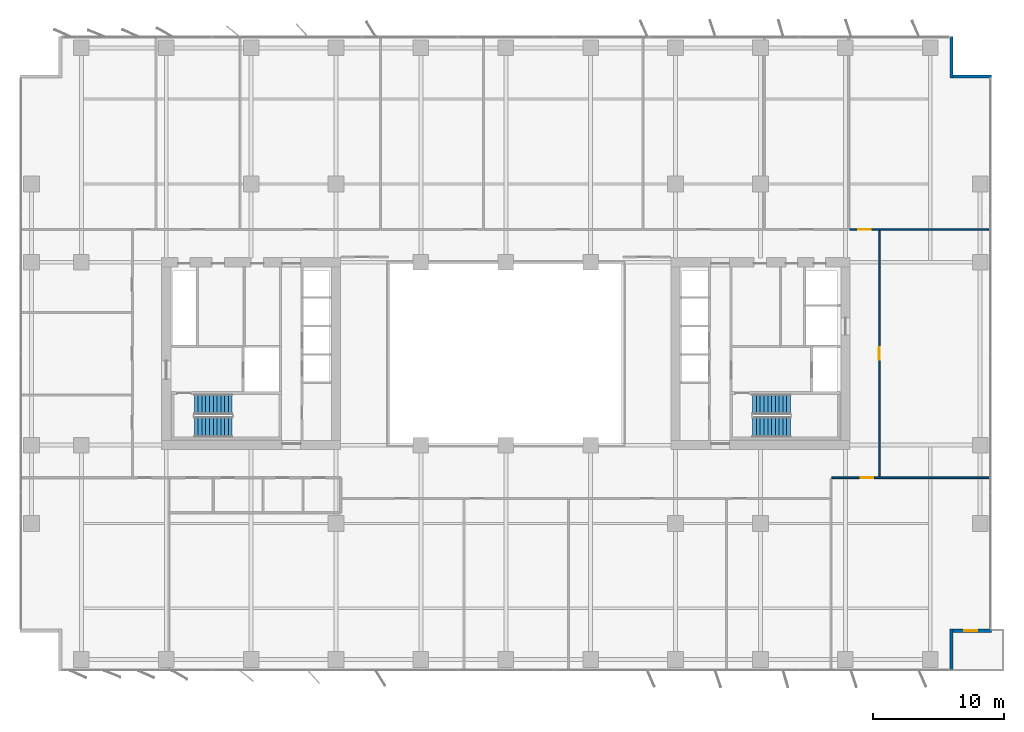
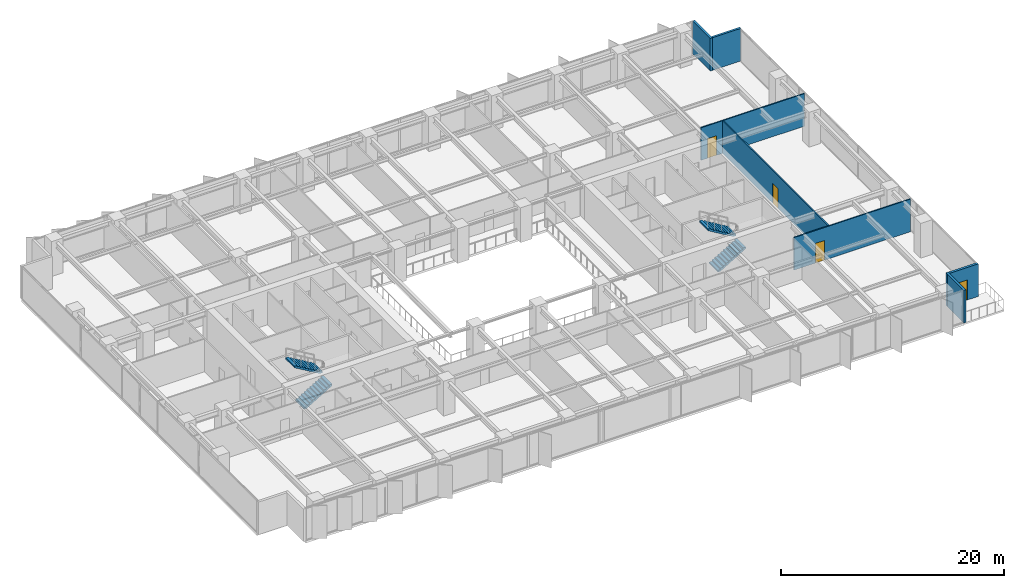
# One storey, part 16 of 20: 7 walls, 4 doors, 4 stair flights, 4 openings, 2 elements without a shape of their own.
"""IFC4 building model written with IfcOpenShell, lengths in metres."""

from ifc_helpers import new_model, si_unit, direction, frame, frame_2d, origin, place, context, subcontext, project, spatial, polyline, rectangle, outline, extrude, material, layer, layer_set, type_object, element, fill, aggregate, save


model = new_model("IFC4")

# Units and contexts
model_context = context("Model", 3, precision=1e-05, world=origin(), true_north=direction((0.0, 1.0)))
body_context = subcontext(model_context, "Body", "Model", "MODEL_VIEW")
ifc_project = project(units=[si_unit("LENGTHUNIT", "METRE"), si_unit("AREAUNIT", "SQUARE_METRE"), si_unit("VOLUMEUNIT", "CUBIC_METRE"), si_unit("PLANEANGLEUNIT", "RADIAN"), si_unit("MASSUNIT", "GRAM", prefix="KILO")], contexts=[model_context])

# Site, building, storey
site_placement = place(None, origin())
site = spatial("IfcSite", under=ifc_project, at=site_placement, CompositionType="ELEMENT")
building_placement = place(site_placement, origin())
building = spatial("IfcBuilding", under=site, at=building_placement, Name="Putna Gate Headquarters", CompositionType="ELEMENT")
storey_placement = place(building_placement, frame((0.0, 0.0, 120.199951171875)))
storey = spatial("IfcBuildingStorey", under=building, at=storey_placement, Name="L29", CompositionType="ELEMENT", Elevation=120.199951171875)

# Walls
ifc_material_1 = material(Name="Precast concrete C40/50", Category="concrete")
ifc_layer_1 = layer(ifc_material_1, 0.239990234375)
ifc_layer_set_1 = layer_set([ifc_layer_1], Name="Precast concrete C40/50")
wall_type_1 = type_object("IfcWallType", Name="WALL-EXT-TERR-240", PredefinedType="STANDARD", material=ifc_layer_set_1)
for number, where, z_axis, x_axis, name in (
    (1, (73.1201171875, 50.300048828125, 0.0), (0.0, 0.0, 1.0), (0.0, -1.0, 0.0), "L29 Corner Notch Return Wall NE-V"),
    (2, (73.0, 47.219970703125, 0.0), (0.0, 0.0, 1.0), (1.0, 0.0, 0.0), "L29 Corner Notch Return Wall NE-H"),
    (3, (73.1201171875, 4.89990234375, 0.0), (0.0, 0.0, 1.0), (0.0, -1.0, 0.0), "L29 Corner Notch Return Wall SE-V"),
):
    element("IfcWall", number, at=place(storey_placement, frame(where, z_axis=z_axis, x_axis=x_axis)), inside=storey, type_object=wall_type_1, Name=name, PredefinedType="STANDARD", context=body_context, shape_type="SweptSolid", body=[
        extrude(rectangle(XDim=3.199951171875, YDim=0.239990234375, at=frame_2d((1.60009765625, 0.0))), origin(), (0.0, 0.0, 1.0), 3.56494140625),
    ])

# Wall, opening, door
wall_1_placement = place(storey_placement, frame((76.199951171875, 4.780029296875, 0.0), z_axis=(0.0, 0.0, 1.0), x_axis=(-1.0, 0.0, 0.0)))
wall_1 = element("IfcWall", 4, at=wall_1_placement, inside=storey, type_object=wall_type_1, Name="L29 Corner Notch Return Wall SE-H", PredefinedType="STANDARD", context=body_context, shape_type="SweptSolid", body=[
    extrude(rectangle(XDim=3.199951171875, YDim=0.239990234375, at=frame_2d((1.60009765625, 0.0))), origin(), (0.0, 0.0, 1.0), 3.56494140625),
])
opening_1_placement = place(wall_1_placement, frame((1.10009765625, 0.0, 0.0)))
opening_1 = element("IfcOpeningElement", 5, at=opening_1_placement, cuts=wall_1, Name="Opening TRD-1", PredefinedType="OPENING", context=body_context, shape_type="SweptSolid", body=[
    extrude(rectangle(XDim=1.0, YDim=2.199951171875, at=frame_2d((0.5, 1.10009765625))), frame((0.0, 0.1298828125, 0.0), z_axis=(0.0, -1.0, 0.0), x_axis=(1.0, 0.0, 0.0)), (0.0, 0.0, 1.0), 0.260009765625),
])
ifc_material_2 = material(Name="Thermally broken bronze glazed terrace door")
door_type_1 = type_object("IfcDoorType", Name="DOOR-TERR-EXT-1000", OperationType="NOTDEFINED", PredefinedType="DOOR", material=ifc_material_2)
door_1_placement = place(opening_1_placement, origin())
door_1 = element("IfcDoor", 6, at=door_1_placement, inside=storey, type_object=door_type_1, Name="L29 Spiral Sky Terrace Door SE", OperationType="SINGLE_SWING_RIGHT", OverallHeight=2.199951171875, OverallWidth=1.0, PredefinedType="DOOR", context=body_context, shape_type="SweptSolid", body=[
    extrude(rectangle(XDim=1.0, YDim=2.199951171875, at=frame_2d((0.5, 1.10009765625))), frame((0.0, 0.02490234375, 0.0), z_axis=(0.0, -1.0, 0.0), x_axis=(1.0, 0.0, 0.0)), (0.0, 0.0, 1.0), 0.050048828125),
])
fill(opening_1, door_1)

ifc_material_3 = material(Name="Fire-rated gypsum board on metal stud")
ifc_layer_2 = layer(ifc_material_3, 0.1201171875)
ifc_layer_set_2 = layer_set([ifc_layer_2], Name="Fire-rated gypsum board on metal stud")
wall_type_2 = type_object("IfcWallType", Name="WALL-PART-120-RATED", PredefinedType="PARTITIONING", material=ifc_layer_set_2)
wall_2_placement = place(storey_placement, frame((65.322021484375, 35.5, 0.0), z_axis=(0.0, 0.0, 1.0), x_axis=(1.0, 0.0, 0.0)))
wall_2 = element("IfcWall", 7, at=wall_2_placement, inside=storey, type_object=wall_type_2, Name="L29 Interior Wall PART-L29-NB-CW-08", PredefinedType="PARTITIONING", context=body_context, shape_type="SweptSolid", body=[
    extrude(rectangle(XDim=10.697998046875, YDim=0.1201171875, at=frame_2d((5.34912109375, 0.0))), origin(), (0.0, 0.0, 1.0), 3.56494140625),
])
opening_2_placement = place(wall_2_placement, frame((0.6640625, 0.0, 0.0)))
opening_2 = element("IfcOpeningElement", 8, at=opening_2_placement, cuts=wall_2, Name="Opening FD-95", PredefinedType="OPENING", context=body_context, shape_type="SweptSolid", body=[
    extrude(rectangle(XDim=0.949951171875, YDim=2.14990234375, at=frame_2d((0.47509765625, 1.074951171875))), frame((0.0, 0.070068359375, 0.0), z_axis=(0.0, -1.0, 0.0), x_axis=(1.0, 0.0, 0.0)), (0.0, 0.0, 1.0), 0.14013671875),
])
ifc_material_4 = material(Name="Acoustic timber fire door", Category="wood")
door_type_2 = type_object("IfcDoorType", Name="DOOR-FIRE-950", OperationType="NOTDEFINED", PredefinedType="DOOR", material=ifc_material_4)
door_2_placement = place(opening_2_placement, origin())
door_2 = element("IfcDoor", 9, at=door_2_placement, inside=storey, type_object=door_type_2, Name="L29 Quiet Wellness Focus Studio 2 Door", OperationType="SINGLE_SWING_RIGHT", OverallHeight=2.14990234375, OverallWidth=0.949951171875, PredefinedType="DOOR", context=body_context, shape_type="SweptSolid", body=[
    extrude(rectangle(XDim=0.949951171875, YDim=2.14990234375, at=frame_2d((0.47509765625, 1.074951171875))), frame((0.0, 0.02490234375, 0.0), z_axis=(0.0, -1.0, 0.0), x_axis=(1.0, 0.0, 0.0)), (0.0, 0.0, 1.0), 0.050048828125),
])
fill(opening_2, door_2)

wall_3_placement = place(storey_placement, frame((63.954833984375, 16.5, 0.0), z_axis=(0.0, 0.0, 1.0), x_axis=(1.0, 0.0, 0.0)))
wall_3 = element("IfcWall", 10, at=wall_3_placement, inside=storey, type_object=wall_type_2, Name="L29 Interior Wall PART-L29-SB-CW-06", PredefinedType="PARTITIONING", context=body_context, shape_type="SweptSolid", body=[
    extrude(rectangle(XDim=12.065185546875, YDim=0.1201171875, at=frame_2d((6.03271484375, 0.0))), origin(), (0.0, 0.0, 1.0), 3.56494140625),
])
opening_3_placement = place(wall_3_placement, frame((2.215087890625, 0.0, 0.0)))
opening_3 = element("IfcOpeningElement", 11, at=opening_3_placement, cuts=wall_3, Name="Opening FD-95", PredefinedType="OPENING", context=body_context, shape_type="SweptSolid", body=[
    extrude(rectangle(XDim=0.949951171875, YDim=2.14990234375, at=frame_2d((0.47509765625, 1.074951171875))), frame((0.0, 0.070068359375, 0.0), z_axis=(0.0, -1.0, 0.0), x_axis=(1.0, 0.0, 0.0)), (0.0, 0.0, 1.0), 0.14013671875),
])
door_3_placement = place(opening_3_placement, origin())
door_3 = element("IfcDoor", 12, at=door_3_placement, inside=storey, type_object=door_type_2, Name="L29 Cellular Office 2 Door", OperationType="SINGLE_SWING_RIGHT", OverallHeight=2.14990234375, OverallWidth=0.949951171875, PredefinedType="DOOR", context=body_context, shape_type="SweptSolid", body=[
    extrude(rectangle(XDim=0.949951171875, YDim=2.14990234375, at=frame_2d((0.47509765625, 1.074951171875))), frame((0.0, 0.02490234375, 0.0), z_axis=(0.0, -1.0, 0.0), x_axis=(1.0, 0.0, 0.0)), (0.0, 0.0, 1.0), 0.050048828125),
])
fill(opening_3, door_3)

wall_4_placement = place(storey_placement, frame((67.60009765625, 16.5, 0.0), z_axis=(0.0, 0.0, 1.0), x_axis=(0.0, 1.0, 0.0)))
wall_4 = element("IfcWall", 13, at=wall_4_placement, inside=storey, type_object=wall_type_2, Name="L29 Interior Wall PART-L29-EW-CW-1", PredefinedType="PARTITIONING", context=body_context, shape_type="SweptSolid", body=[
    extrude(rectangle(XDim=19.0, YDim=0.1201171875, at=frame_2d((9.5, 0.0))), origin(), (0.0, 0.0, 1.0), 3.56494140625),
])
opening_4_placement = place(wall_4_placement, frame((9.02490234375, 0.0, 0.0)))
opening_4 = element("IfcOpeningElement", 14, at=opening_4_placement, cuts=wall_4, Name="Opening FD-95", PredefinedType="OPENING", context=body_context, shape_type="SweptSolid", body=[
    extrude(rectangle(XDim=0.949951171875, YDim=2.14990234375, at=frame_2d((0.47509765625, 1.074951171875))), frame((0.0, 0.070068359375, 0.0), z_axis=(0.0, -1.0, 0.0), x_axis=(1.0, 0.0, 0.0)), (0.0, 0.0, 1.0), 0.14013671875),
])
door_4_placement = place(opening_4_placement, origin())
door_4 = element("IfcDoor", 15, at=door_4_placement, inside=storey, type_object=door_type_2, Name="L29 East Horizon Conference Room 1 Door", OperationType="SINGLE_SWING_RIGHT", OverallHeight=2.14990234375, OverallWidth=0.949951171875, PredefinedType="DOOR", context=body_context, shape_type="SweptSolid", body=[
    extrude(rectangle(XDim=0.949951171875, YDim=2.14990234375, at=frame_2d((0.47509765625, 1.074951171875))), frame((0.0, 0.02490234375, 0.0), z_axis=(0.0, -1.0, 0.0), x_axis=(1.0, 0.0, 0.0)), (0.0, 0.0, 1.0), 0.050048828125),
])
fill(opening_4, door_4)

# Stair, stair flights
ifc_material_5 = material(Name="Concrete C40/50", Category="concrete")
stair_type_1 = type_object("IfcStairType", Name="STAIR-ST1", PredefinedType="HALF_TURN_STAIR", material=ifc_material_5)
stair_1_placement = place(storey_placement, origin())
stair_1 = element("IfcStair", 16, at=stair_1_placement, inside=storey, type_object=stair_type_1, Name="L29 West Core Exit Stair ST1", PredefinedType="HALF_TURN_STAIR")
stair_flight_type_1 = type_object("IfcStairFlightType", Name="FLIGHT-ST1", PredefinedType="STRAIGHT", material=ifc_material_5)
stair_flight_1_placement = place(storey_placement, frame((15.14990234375, 20.375, 0.0), z_axis=(0.0, 0.0, 1.0), x_axis=(1.0, 0.0, 0.0)))
stair_flight_1 = element("IfcStairFlight", 17, at=stair_flight_1_placement, type_object=stair_flight_type_1, Name="ST1 flight 1", NumberOfRisers=11, NumberOfTreads=10, PredefinedType="STRAIGHT", RiserHeight=0.172727273, TreadLength=0.29, context=body_context, shape_type="SweptSolid", body=[
    extrude(outline(polyline([(0.0, 0.0), (0.0, 0.172607421875), (0.2900390625, 0.172607421875), (0.2900390625, 0.345458984375), (0.580078125, 0.345458984375), (0.580078125, 0.51806640625), (0.8701171875, 0.51806640625), (0.8701171875, 0.69091796875), (1.159912109375, 0.69091796875), (1.159912109375, 0.863525390625), (1.449951171875, 0.863525390625), (1.449951171875, 1.036376953125), (1.739990234375, 1.036376953125), (1.739990234375, 1.208984375), (2.030029296875, 1.208984375), (2.030029296875, 1.3818359375), (2.320068359375, 1.3818359375), (2.320068359375, 1.554443359375), (2.610107421875, 1.554443359375), (2.610107421875, 1.727294921875), (2.89990234375, 1.727294921875), (2.89990234375, 1.89990234375), (2.89990234375, 1.552734375), (0.29296875, 0.0), (0.0, 0.0)])), frame((0.0, 0.77490234375, 0.0), z_axis=(0.0, -1.0, 0.0), x_axis=(1.0, 0.0, 0.0)), (0.0, 0.0, 1.0), 1.550048828125),
])
stair_flight_2_placement = place(storey_placement, frame((18.050048828125, 22.125, 1.900146484375), z_axis=(0.0, 0.0, 1.0), x_axis=(-1.0, 0.0, 0.0)))
stair_flight_2 = element("IfcStairFlight", 18, at=stair_flight_2_placement, type_object=stair_flight_type_1, Name="ST1 flight 2", NumberOfRisers=11, NumberOfTreads=10, PredefinedType="STRAIGHT", RiserHeight=0.172727273, TreadLength=0.29, context=body_context, shape_type="SweptSolid", body=[
    extrude(outline(polyline([(0.0, 0.0), (0.0, 0.172607421875), (0.2900390625, 0.172607421875), (0.2900390625, 0.345458984375), (0.580078125, 0.345458984375), (0.580078125, 0.51806640625), (0.8701171875, 0.51806640625), (0.8701171875, 0.69091796875), (1.159912109375, 0.69091796875), (1.159912109375, 0.863525390625), (1.449951171875, 0.863525390625), (1.449951171875, 1.036376953125), (1.739990234375, 1.036376953125), (1.739990234375, 1.208984375), (2.030029296875, 1.208984375), (2.030029296875, 1.3818359375), (2.320068359375, 1.3818359375), (2.320068359375, 1.554443359375), (2.610107421875, 1.554443359375), (2.610107421875, 1.727294921875), (2.89990234375, 1.727294921875), (2.89990234375, 1.89990234375), (2.89990234375, 1.552734375), (0.29296875, 0.0), (0.0, 0.0)])), frame((0.0, 0.77490234375, 0.0), z_axis=(0.0, -1.0, 0.0), x_axis=(1.0, 0.0, 0.0)), (0.0, 0.0, 1.0), 1.550048828125),
])
aggregate(stair_1, [stair_flight_1, stair_flight_2])

stair_type_2 = type_object("IfcStairType", Name="STAIR-ST2", PredefinedType="HALF_TURN_STAIR", material=ifc_material_5)
stair_2_placement = place(storey_placement, origin())
stair_2 = element("IfcStair", 19, at=stair_2_placement, inside=storey, type_object=stair_type_2, Name="L29 East Core Exit Stair ST2", PredefinedType="HALF_TURN_STAIR")
stair_flight_type_2 = type_object("IfcStairFlightType", Name="FLIGHT-ST2", PredefinedType="STRAIGHT", material=ifc_material_5)
stair_flight_3_placement = place(storey_placement, frame((57.89990234375, 20.375, 0.0), z_axis=(0.0, 0.0, 1.0), x_axis=(1.0, 0.0, 0.0)))
stair_flight_3 = element("IfcStairFlight", 20, at=stair_flight_3_placement, type_object=stair_flight_type_2, Name="ST2 flight 1", NumberOfRisers=11, NumberOfTreads=10, PredefinedType="STRAIGHT", RiserHeight=0.172727273, TreadLength=0.29, context=body_context, shape_type="SweptSolid", body=[
    extrude(outline(polyline([(0.0, 0.0), (0.0, 0.172607421875), (0.2900390625, 0.172607421875), (0.2900390625, 0.345458984375), (0.580078125, 0.345458984375), (0.580078125, 0.51806640625), (0.8701171875, 0.51806640625), (0.8701171875, 0.69091796875), (1.159912109375, 0.69091796875), (1.159912109375, 0.863525390625), (1.449951171875, 0.863525390625), (1.449951171875, 1.036376953125), (1.739990234375, 1.036376953125), (1.739990234375, 1.208984375), (2.030029296875, 1.208984375), (2.030029296875, 1.3818359375), (2.320068359375, 1.3818359375), (2.320068359375, 1.554443359375), (2.610107421875, 1.554443359375), (2.610107421875, 1.727294921875), (2.89990234375, 1.727294921875), (2.89990234375, 1.89990234375), (2.89990234375, 1.552734375), (0.29296875, 0.0), (0.0, 0.0)])), frame((0.0, 0.77490234375, 0.0), z_axis=(0.0, -1.0, 0.0), x_axis=(1.0, 0.0, 0.0)), (0.0, 0.0, 1.0), 1.550048828125),
])
stair_flight_4_placement = place(storey_placement, frame((60.800048828125, 22.125, 1.900146484375), z_axis=(0.0, 0.0, 1.0), x_axis=(-1.0, 0.0, 0.0)))
stair_flight_4 = element("IfcStairFlight", 21, at=stair_flight_4_placement, type_object=stair_flight_type_2, Name="ST2 flight 2", NumberOfRisers=11, NumberOfTreads=10, PredefinedType="STRAIGHT", RiserHeight=0.172727273, TreadLength=0.29, context=body_context, shape_type="SweptSolid", body=[
    extrude(outline(polyline([(0.0, 0.0), (0.0, 0.172607421875), (0.2900390625, 0.172607421875), (0.2900390625, 0.345458984375), (0.580078125, 0.345458984375), (0.580078125, 0.51806640625), (0.8701171875, 0.51806640625), (0.8701171875, 0.69091796875), (1.159912109375, 0.69091796875), (1.159912109375, 0.863525390625), (1.449951171875, 0.863525390625), (1.449951171875, 1.036376953125), (1.739990234375, 1.036376953125), (1.739990234375, 1.208984375), (2.030029296875, 1.208984375), (2.030029296875, 1.3818359375), (2.320068359375, 1.3818359375), (2.320068359375, 1.554443359375), (2.610107421875, 1.554443359375), (2.610107421875, 1.727294921875), (2.89990234375, 1.727294921875), (2.89990234375, 1.89990234375), (2.89990234375, 1.552734375), (0.29296875, 0.0), (0.0, 0.0)])), frame((0.0, 0.77490234375, 0.0), z_axis=(0.0, -1.0, 0.0), x_axis=(1.0, 0.0, 0.0)), (0.0, 0.0, 1.0), 1.550048828125),
])
aggregate(stair_2, [stair_flight_3, stair_flight_4])

save(model, "model.ifc")
